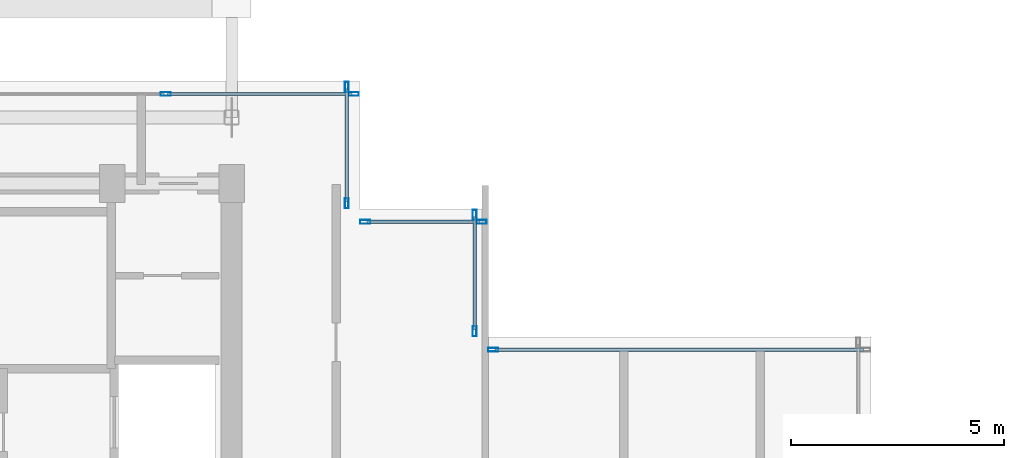
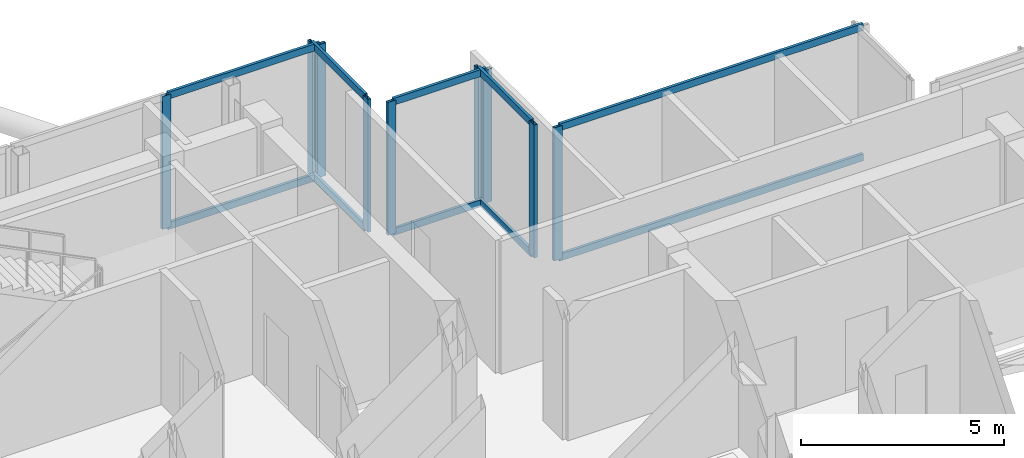
# One storey, part 8 of 16: 19 members, 5 elements without a shape of their own.
"""IFC4 building model written with IfcOpenShell, lengths in metres."""

from ifc_helpers import new_model, si_unit, direction, frame, origin, origin_2d, place, context, subcontext, project, spatial, hollow_rectangle, extrude, material, layer, layer_set, material_profile, profile_set, type_object, element, aggregate, save


model = new_model("IFC4")

# Units and contexts
model_context = context("Model", 3, precision=1e-05, world=origin(), true_north=direction((0.0, 1.0)))
body_context = subcontext(model_context, "Body", "Model", "MODEL_VIEW")
ifc_project = project(units=[si_unit("LENGTHUNIT", "METRE"), si_unit("AREAUNIT", "SQUARE_METRE"), si_unit("VOLUMEUNIT", "CUBIC_METRE"), si_unit("PLANEANGLEUNIT", "RADIAN"), si_unit("MASSUNIT", "GRAM", prefix="KILO"), si_unit("THERMODYNAMICTEMPERATUREUNIT", "KELVIN"), si_unit("POWERUNIT", "WATT")], contexts=[model_context])

# Site, building, storey
site_placement = place(None, origin())
site = spatial("IfcSite", under=ifc_project, at=site_placement, CompositionType="ELEMENT")
building_placement = place(site_placement, origin())
building = spatial("IfcBuilding", under=site, at=building_placement, Name="Svarakhadi Broadcast Tower", CompositionType="ELEMENT")
storey_placement = place(building_placement, frame((0.0, 0.0, 292.199951171875)))
storey = spatial("IfcBuildingStorey", under=building, at=storey_placement, Name="L74", CompositionType="ELEMENT", Elevation=292.199951171875)

# Curtain wall, members
ifc_material = material(Name="Anodised Bronze Aluminium AA 6063-T6", Category="aluminium")
ifc_layer = layer(ifc_material, 0.239990234375)
ifc_layer_set = layer_set([ifc_layer], Name="Anodised Bronze Aluminium AA 6063-T6")
curtain_wall_type = type_object("IfcCurtainWallType", Name="CW_Sys_06", PredefinedType="NOTDEFINED", material=ifc_layer_set)
curtain_wall_1_placement = place(storey_placement, origin())
curtain_wall_1 = element("IfcCurtainWall", 1, at=curtain_wall_1_placement, inside=storey, type_object=curtain_wall_type, Name="L74 Unitised Facade Curtain Wall 06", PredefinedType="NOTDEFINED")
ifc_material_profile_1 = material_profile(ifc_material, hollow_rectangle(XDim=0.090087890625, YDim=0.239990234375, WallThickness=0.006103515625, at=origin_2d()), Name="ALU MULLION 240x90x6")
ifc_profile_set_1 = profile_set([ifc_material_profile_1], Name="Anodised Bronze Aluminium AA 6063-T6")
member_type_1 = type_object("IfcMemberType", Name="CW_Sys_06_Mul", PredefinedType="MULLION", material=ifc_profile_set_1)
member_1_placement = place(storey_placement, frame((16.455078125, 29.699951171875, 0.0), z_axis=(0.0, 0.0, 1.0), x_axis=(0.0, 1.0, 0.0)))
member_1 = element("IfcMember", 2, at=member_1_placement, type_object=member_type_1, Name="CW-06 mullion 4", PredefinedType="MULLION", context=body_context, shape_type="SweptSolid", body=[
    extrude(hollow_rectangle(XDim=0.090087890625, YDim=0.239990234375, WallThickness=0.006103515625, at=origin_2d()), origin(), (0.0, 0.0, 1.0), 4.0),
])
member_2_placement = place(storey_placement, frame((20.864990234375, 29.699951171875, 0.0), z_axis=(0.0, 0.0, 1.0), x_axis=(0.0, 1.0, 0.0)))
member_2 = element("IfcMember", 3, at=member_2_placement, type_object=member_type_1, Name="CW-06 mullion 5", PredefinedType="MULLION", context=body_context, shape_type="SweptSolid", body=[
    extrude(hollow_rectangle(XDim=0.090087890625, YDim=0.239990234375, WallThickness=0.006103515625, at=origin_2d()), origin(), (0.0, 0.0, 1.0), 4.0),
])

curtain_wall_2_placement = place(storey_placement, origin())
curtain_wall_2 = element("IfcCurtainWall", 4, at=curtain_wall_2_placement, inside=storey, type_object=curtain_wall_type, Name="L74 Unitised Facade Curtain Wall 07", PredefinedType="NOTDEFINED")
member_3_placement = place(storey_placement, frame((20.699951171875, 29.864990234375, 0.0), z_axis=(0.0, 0.0, 1.0), x_axis=(1.0, 0.0, 0.0)))
member_3 = element("IfcMember", 5, at=member_3_placement, type_object=member_type_1, Name="CW-06 mullion 1", PredefinedType="MULLION", context=body_context, shape_type="SweptSolid", body=[
    extrude(hollow_rectangle(XDim=0.090087890625, YDim=0.239990234375, WallThickness=0.006103515625, at=origin_2d()), origin(), (0.0, 0.0, 1.0), 4.0),
])
member_4_placement = place(storey_placement, frame((20.699951171875, 27.135009765625, 0.0), z_axis=(0.0, 0.0, 1.0), x_axis=(1.0, 0.0, 0.0)))
member_4 = element("IfcMember", 6, at=member_4_placement, type_object=member_type_1, Name="CW-06 mullion 2", PredefinedType="MULLION", context=body_context, shape_type="SweptSolid", body=[
    extrude(hollow_rectangle(XDim=0.090087890625, YDim=0.239990234375, WallThickness=0.006103515625, at=origin_2d()), origin(), (0.0, 0.0, 1.0), 4.0),
])

curtain_wall_3_placement = place(storey_placement, origin())
curtain_wall_3 = element("IfcCurtainWall", 7, at=curtain_wall_3_placement, inside=storey, type_object=curtain_wall_type, Name="L74 Unitised Facade Curtain Wall 08", PredefinedType="NOTDEFINED")
member_5_placement = place(storey_placement, frame((21.135009765625, 26.699951171875, 0.0), z_axis=(0.0, 0.0, 1.0), x_axis=(0.0, 1.0, 0.0)))
member_5 = element("IfcMember", 8, at=member_5_placement, type_object=member_type_1, Name="CW-06 mullion 1", PredefinedType="MULLION", context=body_context, shape_type="SweptSolid", body=[
    extrude(hollow_rectangle(XDim=0.090087890625, YDim=0.239990234375, WallThickness=0.006103515625, at=origin_2d()), origin(), (0.0, 0.0, 1.0), 4.0),
])
member_6_placement = place(storey_placement, frame((23.864990234375, 26.699951171875, 0.0), z_axis=(0.0, 0.0, 1.0), x_axis=(0.0, 1.0, 0.0)))
member_6 = element("IfcMember", 9, at=member_6_placement, type_object=member_type_1, Name="CW-06 mullion 2", PredefinedType="MULLION", context=body_context, shape_type="SweptSolid", body=[
    extrude(hollow_rectangle(XDim=0.090087890625, YDim=0.239990234375, WallThickness=0.006103515625, at=origin_2d()), origin(), (0.0, 0.0, 1.0), 4.0),
])

curtain_wall_4_placement = place(storey_placement, origin())
curtain_wall_4 = element("IfcCurtainWall", 10, at=curtain_wall_4_placement, inside=storey, type_object=curtain_wall_type, Name="L74 Unitised Facade Curtain Wall 09", PredefinedType="NOTDEFINED")
member_7_placement = place(storey_placement, frame((23.699951171875, 26.864990234375, 0.0), z_axis=(0.0, 0.0, 1.0), x_axis=(1.0, 0.0, 0.0)))
member_7 = element("IfcMember", 11, at=member_7_placement, type_object=member_type_1, Name="CW-06 mullion 1", PredefinedType="MULLION", context=body_context, shape_type="SweptSolid", body=[
    extrude(hollow_rectangle(XDim=0.090087890625, YDim=0.239990234375, WallThickness=0.006103515625, at=origin_2d()), origin(), (0.0, 0.0, 1.0), 4.0),
])
member_8_placement = place(storey_placement, frame((23.699951171875, 24.135009765625, 0.0), z_axis=(0.0, 0.0, 1.0), x_axis=(1.0, 0.0, 0.0)))
member_8 = element("IfcMember", 12, at=member_8_placement, type_object=member_type_1, Name="CW-06 mullion 2", PredefinedType="MULLION", context=body_context, shape_type="SweptSolid", body=[
    extrude(hollow_rectangle(XDim=0.090087890625, YDim=0.239990234375, WallThickness=0.006103515625, at=origin_2d()), origin(), (0.0, 0.0, 1.0), 4.0),
])

# Curtain wall, member
curtain_wall_5_placement = place(storey_placement, origin())
curtain_wall_5 = element("IfcCurtainWall", 13, at=curtain_wall_5_placement, inside=storey, type_object=curtain_wall_type, Name="L74 Unitised Facade Curtain Wall 10", PredefinedType="NOTDEFINED")
member_9_placement = place(storey_placement, frame((24.135009765625, 23.699951171875, 0.0), z_axis=(0.0, 0.0, 1.0), x_axis=(0.0, 1.0, 0.0)))
member_9 = element("IfcMember", 14, at=member_9_placement, type_object=member_type_1, Name="CW-06 mullion 1", PredefinedType="MULLION", context=body_context, shape_type="SweptSolid", body=[
    extrude(hollow_rectangle(XDim=0.090087890625, YDim=0.239990234375, WallThickness=0.006103515625, at=origin_2d()), origin(), (0.0, 0.0, 1.0), 4.0),
])

# Member
ifc_material_profile_2 = material_profile(ifc_material, hollow_rectangle(XDim=0.080078125, YDim=0.2099609375, WallThickness=0.0048828125, at=origin_2d()), Name="ALU TRANSOM 210x80x5")
ifc_profile_set_2 = profile_set([ifc_material_profile_2], Name="Anodised Bronze Aluminium AA 6063-T6")
member_type_2 = type_object("IfcMemberType", Name="CW_Sys_06_Trn", PredefinedType="USERDEFINED", material=ifc_profile_set_2)
member_10_placement = place(storey_placement, frame((16.5, 29.699951171875, 0.0400390625), z_axis=(1.0, 0.0, 0.0), x_axis=(0.0, 1.0, 0.0)))
member_10 = element("IfcMember", 15, at=member_10_placement, type_object=member_type_2, Name="CW-06 transom 4.1", ObjectType="TRANSOM", PredefinedType="USERDEFINED", context=body_context, shape_type="SweptSolid", body=[
    extrude(hollow_rectangle(XDim=0.080078125, YDim=0.2099609375, WallThickness=0.0048828125, at=origin_2d()), origin(), (0.0, 0.0, 1.0), 4.320068359375),
])

member_11_placement = place(storey_placement, frame((16.5, 29.699951171875, 3.9599609375), z_axis=(1.0, 0.0, 0.0), x_axis=(0.0, 1.0, 0.0)))
member_11 = element("IfcMember", 16, at=member_11_placement, type_object=member_type_2, Name="CW-06 transom 4.2", ObjectType="TRANSOM", PredefinedType="USERDEFINED", context=body_context, shape_type="SweptSolid", body=[
    extrude(hollow_rectangle(XDim=0.080078125, YDim=0.2099609375, WallThickness=0.0048828125, at=origin_2d()), origin(), (0.0, 0.0, 1.0), 4.320068359375),
])

aggregate(curtain_wall_1, [member_1, member_2, member_10, member_11])

member_12_placement = place(storey_placement, frame((20.699951171875, 29.820068359375, 0.0400390625), z_axis=(0.0, -1.0, 0.0), x_axis=(1.0, 0.0, 0.0)))
member_12 = element("IfcMember", 17, at=member_12_placement, type_object=member_type_2, Name="CW-06 transom 1.1", ObjectType="TRANSOM", PredefinedType="USERDEFINED", context=body_context, shape_type="SweptSolid", body=[
    extrude(hollow_rectangle(XDim=0.080078125, YDim=0.2099609375, WallThickness=0.0048828125, at=origin_2d()), origin(), (0.0, 0.0, 1.0), 2.64013671875),
])

member_13_placement = place(storey_placement, frame((20.699951171875, 29.820068359375, 3.9599609375), z_axis=(0.0, -1.0, 0.0), x_axis=(1.0, 0.0, 0.0)))
member_13 = element("IfcMember", 18, at=member_13_placement, type_object=member_type_2, Name="CW-06 transom 1.2", ObjectType="TRANSOM", PredefinedType="USERDEFINED", context=body_context, shape_type="SweptSolid", body=[
    extrude(hollow_rectangle(XDim=0.080078125, YDim=0.2099609375, WallThickness=0.0048828125, at=origin_2d()), origin(), (0.0, 0.0, 1.0), 2.64013671875),
])

aggregate(curtain_wall_2, [member_3, member_4, member_12, member_13])

member_14_placement = place(storey_placement, frame((21.179931640625, 26.699951171875, 0.0400390625), z_axis=(1.0, 0.0, 0.0), x_axis=(0.0, 1.0, 0.0)))
member_14 = element("IfcMember", 19, at=member_14_placement, type_object=member_type_2, Name="CW-06 transom 1.1", ObjectType="TRANSOM", PredefinedType="USERDEFINED", context=body_context, shape_type="SweptSolid", body=[
    extrude(hollow_rectangle(XDim=0.080078125, YDim=0.2099609375, WallThickness=0.0048828125, at=origin_2d()), origin(), (0.0, 0.0, 1.0), 2.64013671875),
])

member_15_placement = place(storey_placement, frame((21.179931640625, 26.699951171875, 3.9599609375), z_axis=(1.0, 0.0, 0.0), x_axis=(0.0, 1.0, 0.0)))
member_15 = element("IfcMember", 20, at=member_15_placement, type_object=member_type_2, Name="CW-06 transom 1.2", ObjectType="TRANSOM", PredefinedType="USERDEFINED", context=body_context, shape_type="SweptSolid", body=[
    extrude(hollow_rectangle(XDim=0.080078125, YDim=0.2099609375, WallThickness=0.0048828125, at=origin_2d()), origin(), (0.0, 0.0, 1.0), 2.64013671875),
])

aggregate(curtain_wall_3, [member_5, member_6, member_14, member_15])

member_16_placement = place(storey_placement, frame((23.699951171875, 26.820068359375, 0.0400390625), z_axis=(0.0, -1.0, 0.0), x_axis=(1.0, 0.0, 0.0)))
member_16 = element("IfcMember", 21, at=member_16_placement, type_object=member_type_2, Name="CW-06 transom 1.1", ObjectType="TRANSOM", PredefinedType="USERDEFINED", context=body_context, shape_type="SweptSolid", body=[
    extrude(hollow_rectangle(XDim=0.080078125, YDim=0.2099609375, WallThickness=0.0048828125, at=origin_2d()), origin(), (0.0, 0.0, 1.0), 2.64013671875),
])

member_17_placement = place(storey_placement, frame((23.699951171875, 26.820068359375, 3.9599609375), z_axis=(0.0, -1.0, 0.0), x_axis=(1.0, 0.0, 0.0)))
member_17 = element("IfcMember", 22, at=member_17_placement, type_object=member_type_2, Name="CW-06 transom 1.2", ObjectType="TRANSOM", PredefinedType="USERDEFINED", context=body_context, shape_type="SweptSolid", body=[
    extrude(hollow_rectangle(XDim=0.080078125, YDim=0.2099609375, WallThickness=0.0048828125, at=origin_2d()), origin(), (0.0, 0.0, 1.0), 2.64013671875),
])

aggregate(curtain_wall_4, [member_7, member_8, member_16, member_17])

member_18_placement = place(storey_placement, frame((24.179931640625, 23.699951171875, 0.0400390625), z_axis=(1.0, 0.0, 0.0), x_axis=(0.0, 1.0, 0.0)))
member_18 = element("IfcMember", 23, at=member_18_placement, type_object=member_type_2, Name="CW-06 transom 1.1", ObjectType="TRANSOM", PredefinedType="USERDEFINED", context=body_context, shape_type="SweptSolid", body=[
    extrude(hollow_rectangle(XDim=0.080078125, YDim=0.2099609375, WallThickness=0.0048828125, at=origin_2d()), origin(), (0.0, 0.0, 1.0), 8.64013671875),
])

member_19_placement = place(storey_placement, frame((24.179931640625, 23.699951171875, 3.9599609375), z_axis=(1.0, 0.0, 0.0), x_axis=(0.0, 1.0, 0.0)))
member_19 = element("IfcMember", 24, at=member_19_placement, type_object=member_type_2, Name="CW-06 transom 1.2", ObjectType="TRANSOM", PredefinedType="USERDEFINED", context=body_context, shape_type="SweptSolid", body=[
    extrude(hollow_rectangle(XDim=0.080078125, YDim=0.2099609375, WallThickness=0.0048828125, at=origin_2d()), origin(), (0.0, 0.0, 1.0), 8.64013671875),
])

aggregate(curtain_wall_5, [member_9, member_18, member_19])

save(model, "model.ifc")
